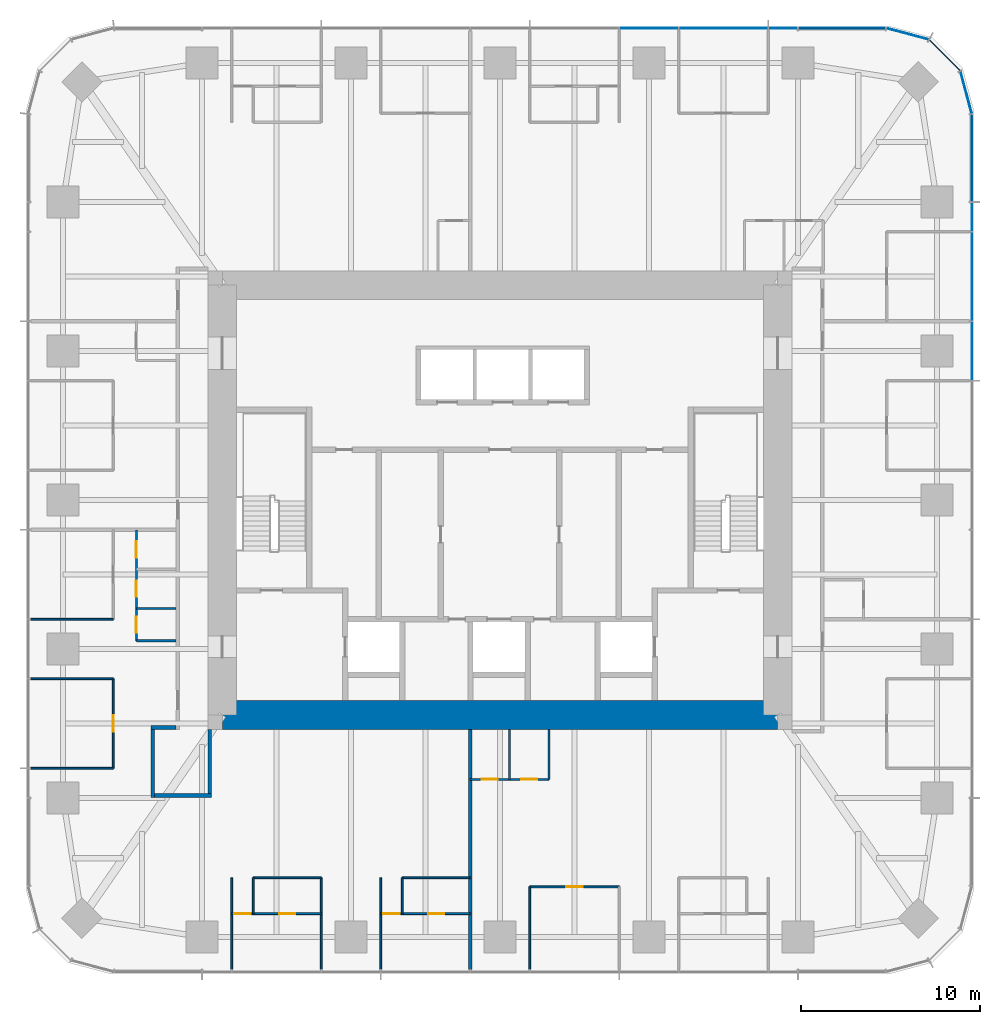
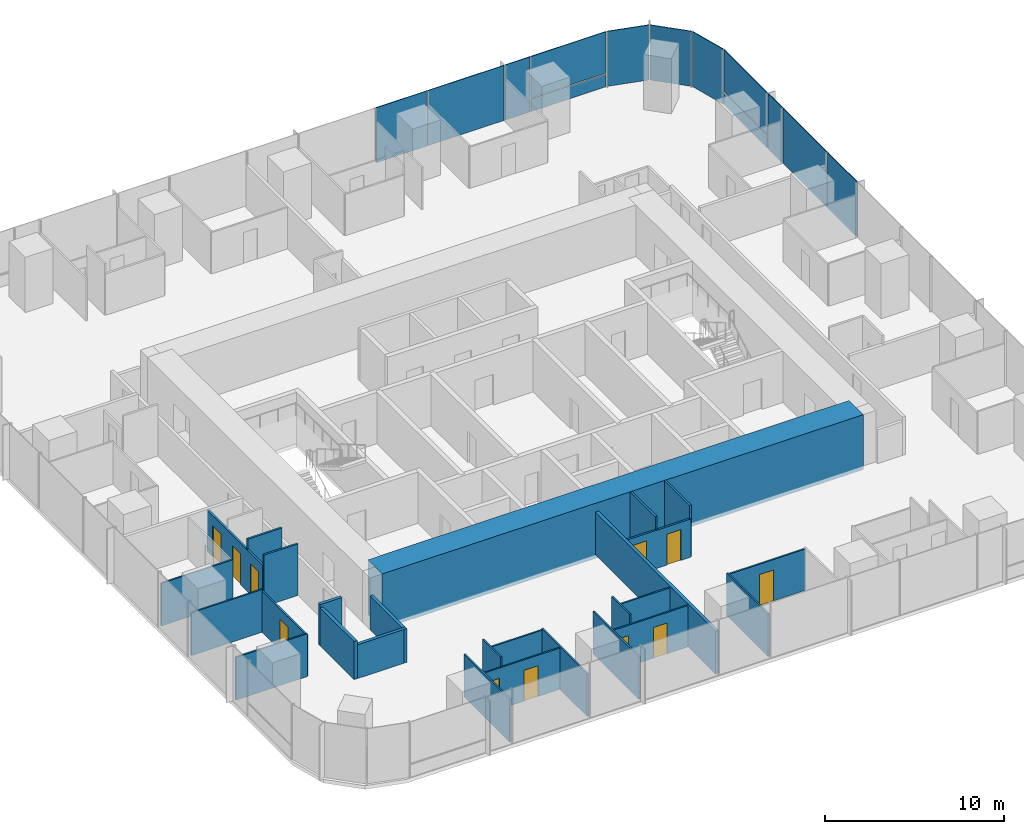
# One storey, part 8 of 12: 27 walls, 13 plates, 11 doors, 11 openings, 3 elements without a shape of their own.
"""IFC4 building model written with IfcOpenShell, lengths in metres."""

from ifc_helpers import new_model, si_unit, direction, frame, frame_2d, origin, origin_2d, place, context, subcontext, project, spatial, rectangle, extrude, material, layer, layer_set, type_object, element, fill, aggregate, save


model = new_model("IFC4")

# Units and contexts
model_context = context("Model", 3, precision=1e-05, world=origin(), true_north=direction((0.0, 1.0)))
body_context = subcontext(model_context, "Body", "Model", "MODEL_VIEW")
ifc_project = project(units=[si_unit("LENGTHUNIT", "METRE"), si_unit("AREAUNIT", "SQUARE_METRE"), si_unit("VOLUMEUNIT", "CUBIC_METRE"), si_unit("PLANEANGLEUNIT", "RADIAN"), si_unit("MASSUNIT", "GRAM", prefix="KILO")], contexts=[model_context])

# Site, building, storey
site_placement = place(None, origin())
site = spatial("IfcSite", under=ifc_project, at=site_placement, CompositionType="ELEMENT")
building_placement = place(site_placement, origin())
building = spatial("IfcBuilding", under=site, at=building_placement, Name="Khuree Lantern Residences", CompositionType="ELEMENT")
storey_placement = place(building_placement, frame((0.0, 0.0, 214.5)))
storey = spatial("IfcBuildingStorey", under=building, at=storey_placement, Name="L53", CompositionType="ELEMENT", Elevation=214.5)

# Curtain wall, plates
ifc_material_1 = material(Name="Bronze anodised aluminium", Category="aluminium")
curtain_wall_type_1 = type_object("IfcCurtainWallType", Name="CW-T2 TOWER CORNER CURTAIN WALL", PredefinedType="USERDEFINED", material=ifc_material_1)
curtain_wall_1_placement = place(storey_placement, origin())
curtain_wall_1 = element("IfcCurtainWall", 1, at=curtain_wall_1_placement, inside=storey, type_object=curtain_wall_type_1, Name="L53 NORTH-EAST CORNER CURTAIN WALL", ObjectType="Faceted corner curtain wall", PredefinedType="USERDEFINED")
ifc_material_2 = material(Name="Bronze tinted triple glazing", Category="glass")
ifc_layer_1 = layer(ifc_material_2, 0.048095703125)
ifc_layer_set_1 = layer_set([ifc_layer_1], Name="FACET PANEL P4")
plate_type_1 = type_object("IfcPlateType", Name="FACET PANEL P4", PredefinedType="CURTAIN_PANEL", material=ifc_layer_set_1)
plate_1_placement = place(storey_placement, frame((26.029052734375, 22.748046875, 0.0), z_axis=(0.0, 0.0, 1.0), x_axis=(-0.258819021888, 0.965925832509, 0.0)))
plate_1 = element("IfcPlate", 2, at=plate_1_placement, type_object=plate_type_1, Name="L53 NORTH-EAST CORNER PANEL 15.1", PredefinedType="CURTAIN_PANEL", context=body_context, shape_type="SweptSolid", body=[
    extrude(rectangle(XDim=2.40869140625, YDim=0.048095703125, at=origin_2d()), origin(), (0.0, 0.0, 1.0), 3.75),
])
plate_2_placement = place(storey_placement, frame((24.828369140625, 24.828369140625, 0.0), z_axis=(0.0, 0.0, 1.0), x_axis=(-0.707106781187, 0.707106781187, 0.0)))
plate_2 = element("IfcPlate", 3, at=plate_2_placement, type_object=plate_type_1, Name="L53 NORTH-EAST CORNER PANEL 16.1", PredefinedType="CURTAIN_PANEL", context=body_context, shape_type="SweptSolid", body=[
    extrude(rectangle(XDim=2.404541015625, YDim=0.048095703125, at=origin_2d()), origin(), (0.0, 0.0, 1.0), 3.75),
])
plate_3_placement = place(storey_placement, frame((22.748046875, 26.029052734375, 0.0), z_axis=(0.0, 0.0, 1.0), x_axis=(-0.965925832509, 0.258819021888, 0.0)))
plate_3 = element("IfcPlate", 4, at=plate_3_placement, type_object=plate_type_1, Name="L53 NORTH-EAST CORNER PANEL 17.1", PredefinedType="CURTAIN_PANEL", context=body_context, shape_type="SweptSolid", body=[
    extrude(rectangle(XDim=2.40869140625, YDim=0.048095703125, at=origin_2d()), origin(), (0.0, 0.0, 1.0), 3.75),
])
aggregate(curtain_wall_1, [plate_1, plate_2, plate_3])

# Curtain wall, plate
curtain_wall_type_2 = type_object("IfcCurtainWallType", Name="CW-T1 TOWER FACE CURTAIN WALL", PredefinedType="USERDEFINED", material=ifc_material_1)
curtain_wall_2_placement = place(storey_placement, origin())
curtain_wall_2 = element("IfcCurtainWall", 5, at=curtain_wall_2_placement, inside=storey, type_object=curtain_wall_type_2, Name="L53 EAST FACE CURTAIN WALL", ObjectType="Stick-built curtain wall", PredefinedType="USERDEFINED")
ifc_material_3 = material(Name="Bronze tinted triple glazing with a ceramic-fritted spandrel band", Category="glass")
ifc_layer_2 = layer(ifc_material_3, 0.048095703125)
ifc_layer_set_2 = layer_set([ifc_layer_2], Name="FIXED LIGHT PANEL P11")
plate_type_2 = type_object("IfcPlateType", Name="FIXED LIGHT PANEL P11", PredefinedType="CURTAIN_PANEL", material=ifc_layer_set_2)
plate_4_placement = place(storey_placement, frame((26.35009765625, 12.47998046875, 0.0), z_axis=(0.0, 0.0, 1.0), x_axis=(0.0, 1.0, 0.0)))
plate_4 = element("IfcPlate", 6, at=plate_4_placement, type_object=plate_type_2, Name="L53 EAST FACE PANEL 12.1", PredefinedType="CURTAIN_PANEL", context=body_context, shape_type="SweptSolid", body=[
    extrude(rectangle(XDim=4.927001953125, YDim=0.048095703125, at=origin_2d()), origin(), (0.0, 0.0, 1.0), 3.75),
])

curtain_wall_3_placement = place(storey_placement, origin())
curtain_wall_3 = element("IfcCurtainWall", 7, at=curtain_wall_3_placement, inside=storey, type_object=curtain_wall_type_2, Name="L53 NORTH FACE CURTAIN WALL", ObjectType="Stick-built curtain wall", PredefinedType="USERDEFINED")
plate_5_placement = place(storey_placement, frame((12.47998046875, 26.35009765625, 0.0), z_axis=(0.0, 0.0, 1.0), x_axis=(-1.0, 0.0, 0.0)))
plate_5 = element("IfcPlate", 8, at=plate_5_placement, type_object=plate_type_2, Name="L53 NORTH FACE PANEL 20.1", PredefinedType="CURTAIN_PANEL", context=body_context, shape_type="SweptSolid", body=[
    extrude(rectangle(XDim=4.927001953125, YDim=0.048095703125, at=origin_2d()), origin(), (0.0, 0.0, 1.0), 3.75),
])

# Plate
ifc_material_4 = material(Name="Bronze tinted triple glazing, two aluminium-framed sashes in one frame", Category="aluminium")
ifc_layer_3 = layer(ifc_material_4, 0.048095703125)
ifc_layer_set_3 = layer_set([ifc_layer_3], Name="SASH PAIR PANEL P12")
plate_type_3 = type_object("IfcPlateType", Name="SASH PAIR PANEL P12", PredefinedType="CURTAIN_PANEL", material=ifc_layer_set_3)
plate_6_placement = place(storey_placement, frame((26.35009765625, 8.320068359375, 0.0), z_axis=(0.0, 0.0, 1.0), x_axis=(0.0, 1.0, 0.0)))
plate_6 = element("IfcPlate", 9, at=plate_6_placement, type_object=plate_type_3, Name="L53 EAST FACE PANEL 11.1", PredefinedType="CURTAIN_PANEL", context=body_context, shape_type="SweptSolid", body=[
    extrude(rectangle(XDim=3.262939453125, YDim=0.048095703125, at=origin_2d()), origin(), (0.0, 0.0, 1.0), 3.75),
])

plate_7_placement = place(storey_placement, frame((8.320068359375, 26.35009765625, 0.0), z_axis=(0.0, 0.0, 1.0), x_axis=(-1.0, 0.0, 0.0)))
plate_7 = element("IfcPlate", 10, at=plate_7_placement, type_object=plate_type_3, Name="L53 NORTH FACE PANEL 21.1", PredefinedType="CURTAIN_PANEL", context=body_context, shape_type="SweptSolid", body=[
    extrude(rectangle(XDim=3.262939453125, YDim=0.048095703125, at=origin_2d()), origin(), (0.0, 0.0, 1.0), 3.75),
])

ifc_material_5 = material(Name="Bronze tinted triple glazing, aluminium-framed sash", Category="aluminium")
ifc_layer_4 = layer(ifc_material_5, 0.048095703125)
ifc_layer_set_4 = layer_set([ifc_layer_4], Name="SASH PANEL P3")
plate_type_4 = type_object("IfcPlateType", Name="SASH PANEL P3", PredefinedType="CURTAIN_PANEL", material=ifc_layer_set_4)
plate_8_placement = place(storey_placement, frame((26.35009765625, 15.80810546875, 0.0), z_axis=(0.0, 0.0, 1.0), x_axis=(0.0, 1.0, 0.0)))
plate_8 = element("IfcPlate", 11, at=plate_8_placement, type_object=plate_type_4, Name="L53 EAST FACE PANEL 13.1", PredefinedType="CURTAIN_PANEL", context=body_context, shape_type="SweptSolid", body=[
    extrude(rectangle(XDim=1.59912109375, YDim=0.048095703125, at=origin_2d()), origin(), (0.0, 0.0, 1.0), 3.75),
])

plate_9_placement = place(storey_placement, frame((15.80810546875, 26.35009765625, 0.0), z_axis=(0.0, 0.0, 1.0), x_axis=(-1.0, 0.0, 0.0)))
plate_9 = element("IfcPlate", 12, at=plate_9_placement, type_object=plate_type_4, Name="L53 NORTH FACE PANEL 19.1", PredefinedType="CURTAIN_PANEL", context=body_context, shape_type="SweptSolid", body=[
    extrude(rectangle(XDim=1.59912109375, YDim=0.048095703125, at=origin_2d()), origin(), (0.0, 0.0, 1.0), 3.75),
])

ifc_material_6 = material(Name="Bronze anodised aluminium insulated spandrel", Category="aluminium")
ifc_layer_5 = layer(ifc_material_6, 0.06005859375)
ifc_layer_set_5 = layer_set([ifc_layer_5], Name="SPANDREL PANEL P2")
plate_type_5 = type_object("IfcPlateType", Name="SPANDREL PANEL P2", PredefinedType="CURTAIN_PANEL", material=ifc_layer_set_5)
plate_10_placement = place(storey_placement, frame((26.35009765625, 19.0927734375, 0.0), z_axis=(0.0, 0.0, 1.0), x_axis=(0.0, 1.0, 0.0)))
plate_10 = element("IfcPlate", 13, at=plate_10_placement, type_object=plate_type_5, Name="L53 EAST FACE PANEL 14.1", PredefinedType="CURTAIN_PANEL", context=body_context, shape_type="SweptSolid", body=[
    extrude(rectangle(XDim=4.8408203125, YDim=0.06005859375, at=origin_2d()), origin(), (0.0, 0.0, 1.0), 0.867431640625),
])

plate_11_placement = place(storey_placement, frame((19.0927734375, 26.35009765625, 0.0), z_axis=(0.0, 0.0, 1.0), x_axis=(-1.0, 0.0, 0.0)))
plate_11 = element("IfcPlate", 14, at=plate_11_placement, type_object=plate_type_5, Name="L53 NORTH FACE PANEL 18.1", PredefinedType="CURTAIN_PANEL", context=body_context, shape_type="SweptSolid", body=[
    extrude(rectangle(XDim=4.8408203125, YDim=0.06005859375, at=origin_2d()), origin(), (0.0, 0.0, 1.0), 0.867431640625),
])

ifc_layer_6 = layer(ifc_material_2, 0.048095703125)
ifc_layer_set_6 = layer_set([ifc_layer_6], Name="VISION PANEL P1")
plate_type_6 = type_object("IfcPlateType", Name="VISION PANEL P1", PredefinedType="CURTAIN_PANEL", material=ifc_layer_set_6)
plate_12_placement = place(storey_placement, frame((26.35009765625, 19.09326171875, 0.9326171875), z_axis=(0.0, 0.0, 1.0), x_axis=(0.0, 1.0, 0.0)))
plate_12 = element("IfcPlate", 15, at=plate_12_placement, type_object=plate_type_6, Name="L53 EAST FACE PANEL 14.2", PredefinedType="CURTAIN_PANEL", context=body_context, shape_type="SweptSolid", body=[
    extrude(rectangle(XDim=4.841552734375, YDim=0.048095703125, at=origin_2d()), origin(), (0.0, 0.0, 1.0), 2.8173828125),
])

aggregate(curtain_wall_2, [plate_6, plate_4, plate_8, plate_10, plate_12])

plate_13_placement = place(storey_placement, frame((19.09326171875, 26.35009765625, 0.9326171875), z_axis=(0.0, 0.0, 1.0), x_axis=(-1.0, 0.0, 0.0)))
plate_13 = element("IfcPlate", 16, at=plate_13_placement, type_object=plate_type_6, Name="L53 NORTH FACE PANEL 18.2", PredefinedType="CURTAIN_PANEL", context=body_context, shape_type="SweptSolid", body=[
    extrude(rectangle(XDim=4.841552734375, YDim=0.048095703125, at=origin_2d()), origin(), (0.0, 0.0, 1.0), 2.8173828125),
])

aggregate(curtain_wall_3, [plate_11, plate_13, plate_9, plate_5, plate_7])

# Wall, openings, doors
ifc_material_7 = material(Name="Moisture-resistant gypsum board on steel studs", Category="steel")
ifc_layer_7 = layer(ifc_material_7, 0.125)
ifc_layer_set_7 = layer_set([ifc_layer_7], Name="BATHROOM WALL BTW125")
wall_type_1 = type_object("IfcWallType", Name="BATHROOM WALL BTW125", PredefinedType="PARTITIONING", material=ifc_layer_set_7)
wall_1_placement = place(storey_placement, frame((-20.300048828125, -1.6640625, 0.0), z_axis=(0.0, 0.0, 1.0), x_axis=(0.0, -1.0, 0.0)))
wall_1 = element("IfcWall", 17, at=wall_1_placement, inside=storey, type_object=wall_type_1, Name="L53 BATHROOM WALL 05", PredefinedType="PARTITIONING", context=body_context, shape_type="SweptSolid", body=[
    extrude(rectangle(XDim=6.199951171875, YDim=0.125, at=frame_2d((3.10009765625, 0.0))), origin(), (0.0, 0.0, 1.0), 2.81005859375),
])
opening_1_placement = place(wall_1_placement, frame((0.64990234375, 0.0, 0.0)))
opening_1 = element("IfcOpeningElement", 18, at=opening_1_placement, cuts=wall_1, Name="Opening 53-044", PredefinedType="OPENING", context=body_context, shape_type="SweptSolid", body=[
    extrude(rectangle(XDim=0.89990234375, YDim=2.10009765625, at=frame_2d((0.449951171875, 1.050048828125))), frame((0.0, 0.072509765625, 0.0), z_axis=(0.0, -1.0, 0.0), x_axis=(1.0, 0.0, 0.0)), (0.0, 0.0, 1.0), 0.14501953125),
])
opening_2_placement = place(wall_1_placement, frame((2.85009765625, 0.0, 0.0)))
opening_2 = element("IfcOpeningElement", 19, at=opening_2_placement, cuts=wall_1, Name="Opening 53-045", PredefinedType="OPENING", context=body_context, shape_type="SweptSolid", body=[
    extrude(rectangle(XDim=0.89990234375, YDim=2.10009765625, at=frame_2d((0.449951171875, 1.050048828125))), frame((0.0, 0.072509765625, 0.0), z_axis=(0.0, -1.0, 0.0), x_axis=(1.0, 0.0, 0.0)), (0.0, 0.0, 1.0), 0.14501953125),
])
opening_3_placement = place(wall_1_placement, frame((4.85009765625, 0.0, 0.0)))
opening_3 = element("IfcOpeningElement", 20, at=opening_3_placement, cuts=wall_1, Name="Opening 53-046", PredefinedType="OPENING", context=body_context, shape_type="SweptSolid", body=[
    extrude(rectangle(XDim=0.89990234375, YDim=2.10009765625, at=frame_2d((0.449951171875, 1.050048828125))), frame((0.0, 0.072509765625, 0.0), z_axis=(0.0, -1.0, 0.0), x_axis=(1.0, 0.0, 0.0)), (0.0, 0.0, 1.0), 0.14501953125),
])
ifc_material_8 = material(Name="Timber door leaf in hardwood frame", Category="wood")
door_type_1 = type_object("IfcDoorType", Name="BATHROOM DOOR 900X2100", OperationType="SINGLE_SWING_LEFT", PredefinedType="DOOR", material=ifc_material_8)
door_1_placement = place(opening_1_placement, origin())
door_1 = element("IfcDoor", 21, at=door_1_placement, inside=storey, type_object=door_type_1, Name="Bathroom door 53-044", OperationType="SINGLE_SWING_LEFT", OverallHeight=2.10009765625, OverallWidth=0.89990234375, PredefinedType="DOOR", context=body_context, shape_type="SweptSolid", body=[
    extrude(rectangle(XDim=0.89990234375, YDim=2.10009765625, at=frame_2d((0.449951171875, 1.050048828125))), frame((0.0, 0.02490234375, 0.0), z_axis=(0.0, -1.0, 0.0), x_axis=(1.0, 0.0, 0.0)), (0.0, 0.0, 1.0), 0.050048828125),
])
fill(opening_1, door_1)
door_2_placement = place(opening_2_placement, origin())
door_2 = element("IfcDoor", 22, at=door_2_placement, inside=storey, type_object=door_type_1, Name="Bathroom door 53-045", OperationType="SINGLE_SWING_LEFT", OverallHeight=2.10009765625, OverallWidth=0.89990234375, PredefinedType="DOOR", context=body_context, shape_type="SweptSolid", body=[
    extrude(rectangle(XDim=0.89990234375, YDim=2.10009765625, at=frame_2d((0.449951171875, 1.050048828125))), frame((0.0, 0.02490234375, 0.0), z_axis=(0.0, -1.0, 0.0), x_axis=(1.0, 0.0, 0.0)), (0.0, 0.0, 1.0), 0.050048828125),
])
fill(opening_2, door_2)
door_type_2 = type_object("IfcDoorType", Name="DOOR 900X2100", OperationType="SINGLE_SWING_LEFT", PredefinedType="DOOR", material=ifc_material_8)
door_3_placement = place(opening_3_placement, origin())
door_3 = element("IfcDoor", 23, at=door_3_placement, inside=storey, type_object=door_type_2, Name="Store door 53-046", OperationType="SINGLE_SWING_LEFT", OverallHeight=2.10009765625, OverallWidth=0.89990234375, PredefinedType="DOOR", context=body_context, shape_type="SweptSolid", body=[
    extrude(rectangle(XDim=0.89990234375, YDim=2.10009765625, at=frame_2d((0.449951171875, 1.050048828125))), frame((0.0, 0.02490234375, 0.0), z_axis=(0.0, -1.0, 0.0), x_axis=(1.0, 0.0, 0.0)), (0.0, 0.0, 1.0), 0.050048828125),
])
fill(opening_3, door_3)

# Walls
for number, where, z_axis, x_axis, name in (
    (24, (-18.10009765625, -6.06396484375, 0.0), (0.0, 0.0, 1.0), (-1.0, 0.0, 0.0), "L53 BATHROOM WALL 05"),
    (25, (-18.10009765625, -7.864013671875, 0.0), (0.0, 0.0, 1.0), (-1.0, 0.0, 0.0), "L53 BATHROOM WALL 05"),
):
    element("IfcWall", number, at=place(storey_placement, frame(where, z_axis=z_axis, x_axis=x_axis)), inside=storey, type_object=wall_type_1, Name=name, PredefinedType="PARTITIONING", context=body_context, shape_type="SweptSolid", body=[
        extrude(rectangle(XDim=2.199951171875, YDim=0.125, at=frame_2d((1.10009765625, 0.0))), origin(), (0.0, 0.0, 1.0), 3.5),
    ])

# Wall, openings, doors
wall_2_placement = place(storey_placement, frame((-1.6640625, -15.60009765625, 0.0), z_axis=(0.0, 0.0, 1.0), x_axis=(1.0, 0.0, 0.0)))
wall_2 = element("IfcWall", 26, at=wall_2_placement, inside=storey, type_object=wall_type_1, Name="L53 BATHROOM WALL 06", PredefinedType="PARTITIONING", context=body_context, shape_type="SweptSolid", body=[
    extrude(rectangle(XDim=4.400146484375, YDim=0.125, at=frame_2d((2.2001953125, 0.0))), origin(), (0.0, 0.0, 1.0), 2.60009765625),
])
opening_4_placement = place(wall_2_placement, frame((0.64990234375, 0.0, 0.0)))
opening_4 = element("IfcOpeningElement", 27, at=opening_4_placement, cuts=wall_2, Name="Opening 53-052", PredefinedType="OPENING", context=body_context, shape_type="SweptSolid", body=[
    extrude(rectangle(XDim=0.89990234375, YDim=2.10009765625, at=frame_2d((0.449951171875, 1.050048828125))), frame((0.0, 0.072509765625, 0.0), z_axis=(0.0, -1.0, 0.0), x_axis=(1.0, 0.0, 0.0)), (0.0, 0.0, 1.0), 0.14501953125),
])
opening_5_placement = place(wall_2_placement, frame((2.85009765625, 0.0, 0.0)))
opening_5 = element("IfcOpeningElement", 28, at=opening_5_placement, cuts=wall_2, Name="Opening 53-053", PredefinedType="OPENING", context=body_context, shape_type="SweptSolid", body=[
    extrude(rectangle(XDim=0.89990234375, YDim=2.10009765625, at=frame_2d((0.449951171875, 1.050048828125))), frame((0.0, 0.072509765625, 0.0), z_axis=(0.0, -1.0, 0.0), x_axis=(1.0, 0.0, 0.0)), (0.0, 0.0, 1.0), 0.14501953125),
])
door_4_placement = place(opening_4_placement, origin())
door_4 = element("IfcDoor", 29, at=door_4_placement, inside=storey, type_object=door_type_1, Name="Bathroom door 53-052", OperationType="SINGLE_SWING_LEFT", OverallHeight=2.10009765625, OverallWidth=0.89990234375, PredefinedType="DOOR", context=body_context, shape_type="SweptSolid", body=[
    extrude(rectangle(XDim=0.89990234375, YDim=2.10009765625, at=frame_2d((0.449951171875, 1.050048828125))), frame((0.0, 0.02490234375, 0.0), z_axis=(0.0, -1.0, 0.0), x_axis=(1.0, 0.0, 0.0)), (0.0, 0.0, 1.0), 0.050048828125),
])
fill(opening_4, door_4)
door_5_placement = place(opening_5_placement, origin())
door_5 = element("IfcDoor", 30, at=door_5_placement, inside=storey, type_object=door_type_1, Name="Bathroom door 53-053", OperationType="SINGLE_SWING_LEFT", OverallHeight=2.10009765625, OverallWidth=0.89990234375, PredefinedType="DOOR", context=body_context, shape_type="SweptSolid", body=[
    extrude(rectangle(XDim=0.89990234375, YDim=2.10009765625, at=frame_2d((0.449951171875, 1.050048828125))), frame((0.0, 0.02490234375, 0.0), z_axis=(0.0, -1.0, 0.0), x_axis=(1.0, 0.0, 0.0)), (0.0, 0.0, 1.0), 0.050048828125),
])
fill(opening_5, door_5)

# Walls
for number, where, z_axis, x_axis, name in (
    (31, (0.535888671875, -12.800048828125, 0.0), (0.0, 0.0, 1.0), (0.0, -1.0, 0.0), "L53 BATHROOM WALL 06"),
    (32, (2.736083984375, -12.800048828125, 0.0), (0.0, 0.0, 1.0), (0.0, -1.0, 0.0), "L53 BATHROOM WALL 06"),
):
    element("IfcWall", number, at=place(storey_placement, frame(where, z_axis=z_axis, x_axis=x_axis)), inside=storey, type_object=wall_type_1, Name=name, PredefinedType="PARTITIONING", context=body_context, shape_type="SweptSolid", body=[
        extrude(rectangle(XDim=2.800048828125, YDim=0.125, at=frame_2d((1.39990234375, 0.0))), origin(), (0.0, 0.0, 1.0), 3.5),
    ])
ifc_material_9 = material(Name="Gypsum board on steel studs", Category="steel")
ifc_layer_8 = layer(ifc_material_9, 0.199951171875)
ifc_layer_set_8 = layer_set([ifc_layer_8], Name="CORRIDOR WALL CRW200 EI 60")
wall_type_2 = type_object("IfcWallType", Name="CORRIDOR WALL CRW200 EI 60", PredefinedType="PARTITIONING", material=ifc_layer_set_8)
wall_3_placement = place(storey_placement, frame((-18.10009765625, -12.699951171875, 0.0), z_axis=(0.0, 0.0, 1.0), x_axis=(-1.0, 0.0, 0.0)))
element("IfcWall", 33, at=wall_3_placement, inside=storey, type_object=wall_type_2, Name="L53 RESIDENTS LOUNGE WALL", PredefinedType="PARTITIONING", context=body_context, shape_type="SweptSolid", body=[
    extrude(rectangle(XDim=1.39990234375, YDim=0.199951171875, at=frame_2d((0.699951171875, 0.0))), origin(), (0.0, 0.0, 1.0), 2.81005859375),
])
wall_4_placement = place(storey_placement, frame((-19.39990234375, -12.60009765625, 0.0), z_axis=(0.0, 0.0, 1.0), x_axis=(0.0, -1.0, 0.0)))
element("IfcWall", 34, at=wall_4_placement, inside=storey, type_object=wall_type_2, Name="L53 RESIDENTS LOUNGE WALL", PredefinedType="PARTITIONING", context=body_context, shape_type="SweptSolid", body=[
    extrude(rectangle(XDim=4.0, YDim=0.199951171875, at=frame_2d((2.0, 0.0))), origin(), (0.0, 0.0, 1.0), 2.60009765625),
])
wall_5_placement = place(storey_placement, frame((-19.300048828125, -16.5, 0.0), z_axis=(0.0, 0.0, 1.0), x_axis=(1.0, 0.0, 0.0)))
element("IfcWall", 35, at=wall_5_placement, inside=storey, type_object=wall_type_2, Name="L53 RESIDENTS LOUNGE WALL", PredefinedType="PARTITIONING", context=body_context, shape_type="SweptSolid", body=[
    extrude(rectangle(XDim=3.199951171875, YDim=0.199951171875, at=frame_2d((1.60009765625, 0.0))), origin(), (0.0, 0.0, 1.0), 2.300048828125),
])
wall_6_placement = place(storey_placement, frame((-16.199951171875, -16.60009765625, 0.0), z_axis=(0.0, 0.0, 1.0), x_axis=(0.0, 1.0, 0.0)))
element("IfcWall", 36, at=wall_6_placement, inside=storey, type_object=wall_type_2, Name="L53 RESIDENTS LOUNGE WALL", PredefinedType="PARTITIONING", context=body_context, shape_type="SweptSolid", body=[
    extrude(rectangle(XDim=3.800048828125, YDim=0.199951171875, at=frame_2d((1.89990234375, 0.0))), origin(), (0.0, 0.0, 1.0), 2.300048828125),
])
ifc_material_10 = material(Name="Concrete C50/60", Category="concrete")
ifc_layer_9 = layer(ifc_material_10, 1.60009765625)
ifc_layer_set_9 = layer_set([ifc_layer_9], Name="CW1600-C50 CORE WALL C50 1600")
wall_type_3 = type_object("IfcWallType", Name="CW1600-C50 CORE WALL C50 1600", PredefinedType="SHEAR", material=ifc_layer_set_9)
wall_7_placement = place(storey_placement, frame((-15.5, -12.0, -0.25), z_axis=(0.0, 0.0, 1.0), x_axis=(1.0, 0.0, 0.0)))
element("IfcWall", 37, at=wall_7_placement, inside=storey, type_object=wall_type_3, Name="Core wall S", PredefinedType="SHEAR", context=body_context, shape_type="SweptSolid", body=[
    extrude(rectangle(XDim=31.0, YDim=1.60009765625, at=frame_2d((15.5, 0.0))), origin(), (0.0, 0.0, 1.0), 3.75),
])
ifc_layer_10 = layer(ifc_material_9, 0.199951171875)
ifc_layer_set_10 = layer_set([ifc_layer_10], Name="DEMISING WALL DMW200 EI 90")
wall_type_4 = type_object("IfcWallType", Name="DEMISING WALL DMW200 EI 90", PredefinedType="PARTITIONING", material=ifc_layer_set_10)
wall_8_placement = place(storey_placement, frame((-1.6640625, -12.800048828125, 0.0), z_axis=(0.0, 0.0, 1.0), x_axis=(0.0, -1.0, 0.0)))
element("IfcWall", 38, at=wall_8_placement, inside=storey, type_object=wall_type_4, Name="L53 DEMISING WALL 06", PredefinedType="PARTITIONING", context=body_context, shape_type="SweptSolid", body=[
    extrude(rectangle(XDim=13.39990234375, YDim=0.199951171875, at=frame_2d((6.699951171875, 0.0))), origin(), (0.0, 0.0, 1.0), 2.909912109375),
])
ifc_layer_11 = layer(ifc_material_9, 0.10009765625)
ifc_layer_set_11 = layer_set([ifc_layer_11], Name="PARTITION PT100")
wall_type_5 = type_object("IfcWallType", Name="PARTITION PT100", PredefinedType="PARTITIONING", material=ifc_layer_set_11)
for number, where, z_axis, x_axis, name in (
    (39, (-21.60009765625, -6.656005859375, 0.0), (0.0, 0.0, 1.0), (-1.0, 0.0, 0.0), "L53 PARTITION 05"),
    (40, (-21.60009765625, -9.98388671875, 0.0), (0.0, 0.0, 1.0), (-1.0, 0.0, 0.0), "L53 PARTITION 05"),
    (41, (-21.60009765625, -14.97607421875, 0.0), (0.0, 0.0, 1.0), (-1.0, 0.0, 0.0), "L53 PARTITION 05"),
):
    element("IfcWall", number, at=place(storey_placement, frame(where, z_axis=z_axis, x_axis=x_axis)), inside=storey, type_object=wall_type_5, Name=name, PredefinedType="PARTITIONING", context=body_context, shape_type="SweptSolid", body=[
        extrude(rectangle(XDim=4.599853515625, YDim=0.10009765625, at=frame_2d((2.2998046875, 0.0))), origin(), (0.0, 0.0, 1.0), 2.909912109375),
    ])
for number, where, z_axis, x_axis, name in (
    (42, (-14.97607421875, -21.094970703125, 0.0), (0.0, 0.0, 1.0), (0.0, -1.0, 0.0), "L53 PARTITION 05"),
    (43, (-9.98388671875, -21.094970703125, 0.0), (0.0, 0.0, 1.0), (0.0, -1.0, 0.0), "L53 PARTITION 05"),
    (44, (-6.656005859375, -21.094970703125, 0.0), (0.0, 0.0, 1.0), (0.0, -1.0, 0.0), "L53 PARTITION 05"),
):
    element("IfcWall", number, at=place(storey_placement, frame(where, z_axis=z_axis, x_axis=x_axis)), inside=storey, type_object=wall_type_5, Name=name, PredefinedType="PARTITIONING", context=body_context, shape_type="SweptSolid", body=[
        extrude(rectangle(XDim=5.10498046875, YDim=0.10009765625, at=frame_2d((2.552490234375, 0.0))), origin(), (0.0, 0.0, 1.0), 2.909912109375),
    ])
wall_9_placement = place(storey_placement, frame((1.6640625, -21.60009765625, 0.0), z_axis=(0.0, 0.0, 1.0), x_axis=(0.0, -1.0, 0.0)))
element("IfcWall", 45, at=wall_9_placement, inside=storey, type_object=wall_type_5, Name="L53 PARTITION 06", PredefinedType="PARTITIONING", context=body_context, shape_type="SweptSolid", body=[
    extrude(rectangle(XDim=4.599853515625, YDim=0.10009765625, at=frame_2d((2.2998046875, 0.0))), origin(), (0.0, 0.0, 1.0), 2.909912109375),
])

# Wall, opening, door
wall_10_placement = place(storey_placement, frame((-21.60009765625, -9.98388671875, 0.0), z_axis=(0.0, 0.0, 1.0), x_axis=(0.0, -1.0, 0.0)))
wall_10 = element("IfcWall", 46, at=wall_10_placement, inside=storey, type_object=wall_type_5, Name="L53 PARTITION 05", PredefinedType="PARTITIONING", context=body_context, shape_type="SweptSolid", body=[
    extrude(rectangle(XDim=4.9921875, YDim=0.10009765625, at=frame_2d((2.49609375, 0.0))), origin(), (0.0, 0.0, 1.0), 2.81005859375),
])
opening_6_placement = place(wall_10_placement, frame((2.0458984375, 0.0, 0.0)))
opening_6 = element("IfcOpeningElement", 47, at=opening_6_placement, cuts=wall_10, Name="Opening 53-039", PredefinedType="OPENING", context=body_context, shape_type="SweptSolid", body=[
    extrude(rectangle(XDim=0.89990234375, YDim=2.10009765625, at=frame_2d((0.449951171875, 1.050048828125))), frame((0.0, 0.06005859375, 0.0), z_axis=(0.0, -1.0, 0.0), x_axis=(1.0, 0.0, 0.0)), (0.0, 0.0, 1.0), 0.1201171875),
])
door_type_3 = type_object("IfcDoorType", Name="BEDROOM DOOR 900X2100", OperationType="SINGLE_SWING_LEFT", PredefinedType="DOOR", material=ifc_material_8)
door_6_placement = place(opening_6_placement, origin())
door_6 = element("IfcDoor", 48, at=door_6_placement, inside=storey, type_object=door_type_3, Name="Bedroom door 53-039", OperationType="SINGLE_SWING_LEFT", OverallHeight=2.10009765625, OverallWidth=0.89990234375, PredefinedType="DOOR", context=body_context, shape_type="SweptSolid", body=[
    extrude(rectangle(XDim=0.89990234375, YDim=2.10009765625, at=frame_2d((0.449951171875, 1.050048828125))), frame((0.0, 0.02490234375, 0.0), z_axis=(0.0, -1.0, 0.0), x_axis=(1.0, 0.0, 0.0)), (0.0, 0.0, 1.0), 0.050048828125),
])
fill(opening_6, door_6)

# Wall, openings, doors
wall_11_placement = place(storey_placement, frame((-14.97607421875, -23.094970703125, 0.0), z_axis=(0.0, 0.0, 1.0), x_axis=(1.0, 0.0, 0.0)))
wall_11 = element("IfcWall", 49, at=wall_11_placement, inside=storey, type_object=wall_type_5, Name="L53 PARTITION 05", PredefinedType="PARTITIONING", context=body_context, shape_type="SweptSolid", body=[
    extrude(rectangle(XDim=4.9921875, YDim=0.10009765625, at=frame_2d((2.49609375, 0.0))), origin(), (0.0, 0.0, 1.0), 2.81005859375),
])
opening_7_placement = place(wall_11_placement, frame((0.14990234375, 0.0, 0.0)))
opening_7 = element("IfcOpeningElement", 50, at=opening_7_placement, cuts=wall_11, Name="Opening 53-040", PredefinedType="OPENING", context=body_context, shape_type="SweptSolid", body=[
    extrude(rectangle(XDim=0.89990234375, YDim=2.10009765625, at=frame_2d((0.449951171875, 1.050048828125))), frame((0.0, 0.06005859375, 0.0), z_axis=(0.0, -1.0, 0.0), x_axis=(1.0, 0.0, 0.0)), (0.0, 0.0, 1.0), 0.1201171875),
])
opening_8_placement = place(wall_11_placement, frame((2.64599609375, 0.0, 0.0)))
opening_8 = element("IfcOpeningElement", 51, at=opening_8_placement, cuts=wall_11, Name="Opening 53-041", PredefinedType="OPENING", context=body_context, shape_type="SweptSolid", body=[
    extrude(rectangle(XDim=0.89990234375, YDim=2.10009765625, at=frame_2d((0.449951171875, 1.050048828125))), frame((0.0, 0.06005859375, 0.0), z_axis=(0.0, -1.0, 0.0), x_axis=(1.0, 0.0, 0.0)), (0.0, 0.0, 1.0), 0.1201171875),
])
door_7_placement = place(opening_7_placement, origin())
door_7 = element("IfcDoor", 52, at=door_7_placement, inside=storey, type_object=door_type_3, Name="Bedroom door 53-040", OperationType="SINGLE_SWING_LEFT", OverallHeight=2.10009765625, OverallWidth=0.89990234375, PredefinedType="DOOR", context=body_context, shape_type="SweptSolid", body=[
    extrude(rectangle(XDim=0.89990234375, YDim=2.10009765625, at=frame_2d((0.449951171875, 1.050048828125))), frame((0.0, 0.02490234375, 0.0), z_axis=(0.0, -1.0, 0.0), x_axis=(1.0, 0.0, 0.0)), (0.0, 0.0, 1.0), 0.050048828125),
])
fill(opening_7, door_7)
door_8_placement = place(opening_8_placement, origin())
door_8 = element("IfcDoor", 53, at=door_8_placement, inside=storey, type_object=door_type_2, Name="Wardrobe door 53-041", OperationType="SINGLE_SWING_LEFT", OverallHeight=2.10009765625, OverallWidth=0.89990234375, PredefinedType="DOOR", context=body_context, shape_type="SweptSolid", body=[
    extrude(rectangle(XDim=0.89990234375, YDim=2.10009765625, at=frame_2d((0.449951171875, 1.050048828125))), frame((0.0, 0.02490234375, 0.0), z_axis=(0.0, -1.0, 0.0), x_axis=(1.0, 0.0, 0.0)), (0.0, 0.0, 1.0), 0.050048828125),
])
fill(opening_8, door_8)

# Walls
wall_12_placement = place(storey_placement, frame((-13.77587890625, -21.094970703125, 0.0), z_axis=(0.0, 0.0, 1.0), x_axis=(0.0, -1.0, 0.0)))
element("IfcWall", 54, at=wall_12_placement, inside=storey, type_object=wall_type_5, Name="L53 PARTITION 05", PredefinedType="PARTITIONING", context=body_context, shape_type="SweptSolid", body=[
    extrude(rectangle(XDim=2.0, YDim=0.10009765625, at=frame_2d((1.0, 0.0))), origin(), (0.0, 0.0, 1.0), 3.5),
])
wall_13_placement = place(storey_placement, frame((-13.77587890625, -21.094970703125, 0.0), z_axis=(0.0, 0.0, 1.0), x_axis=(1.0, 0.0, 0.0)))
element("IfcWall", 55, at=wall_13_placement, inside=storey, type_object=wall_type_5, Name="L53 PARTITION 05", PredefinedType="PARTITIONING", context=body_context, shape_type="SweptSolid", body=[
    extrude(rectangle(XDim=3.7919921875, YDim=0.10009765625, at=frame_2d((1.89599609375, 0.0))), origin(), (0.0, 0.0, 1.0), 2.81005859375),
])

# Wall, openings, doors
wall_14_placement = place(storey_placement, frame((-6.656005859375, -23.094970703125, 0.0), z_axis=(0.0, 0.0, 1.0), x_axis=(1.0, 0.0, 0.0)))
wall_14 = element("IfcWall", 56, at=wall_14_placement, inside=storey, type_object=wall_type_5, Name="L53 PARTITION 05", PredefinedType="PARTITIONING", context=body_context, shape_type="SweptSolid", body=[
    extrude(rectangle(XDim=4.991943359375, YDim=0.10009765625, at=frame_2d((2.49609375, 0.0))), origin(), (0.0, 0.0, 1.0), 2.81005859375),
])
opening_9_placement = place(wall_14_placement, frame((0.14990234375, 0.0, 0.0)))
opening_9 = element("IfcOpeningElement", 57, at=opening_9_placement, cuts=wall_14, Name="Opening 53-042", PredefinedType="OPENING", context=body_context, shape_type="SweptSolid", body=[
    extrude(rectangle(XDim=0.89990234375, YDim=2.10009765625, at=frame_2d((0.449951171875, 1.050048828125))), frame((0.0, 0.06005859375, 0.0), z_axis=(0.0, -1.0, 0.0), x_axis=(1.0, 0.0, 0.0)), (0.0, 0.0, 1.0), 0.1201171875),
])
opening_10_placement = place(wall_14_placement, frame((2.64599609375, 0.0, 0.0)))
opening_10 = element("IfcOpeningElement", 58, at=opening_10_placement, cuts=wall_14, Name="Opening 53-043", PredefinedType="OPENING", context=body_context, shape_type="SweptSolid", body=[
    extrude(rectangle(XDim=0.89990234375, YDim=2.10009765625, at=frame_2d((0.449951171875, 1.050048828125))), frame((0.0, 0.06005859375, 0.0), z_axis=(0.0, -1.0, 0.0), x_axis=(1.0, 0.0, 0.0)), (0.0, 0.0, 1.0), 0.1201171875),
])
door_9_placement = place(opening_9_placement, origin())
door_9 = element("IfcDoor", 59, at=door_9_placement, inside=storey, type_object=door_type_3, Name="Bedroom door 53-042", OperationType="SINGLE_SWING_LEFT", OverallHeight=2.10009765625, OverallWidth=0.89990234375, PredefinedType="DOOR", context=body_context, shape_type="SweptSolid", body=[
    extrude(rectangle(XDim=0.89990234375, YDim=2.10009765625, at=frame_2d((0.449951171875, 1.050048828125))), frame((0.0, 0.02490234375, 0.0), z_axis=(0.0, -1.0, 0.0), x_axis=(1.0, 0.0, 0.0)), (0.0, 0.0, 1.0), 0.050048828125),
])
fill(opening_9, door_9)
door_type_4 = type_object("IfcDoorType", Name="DOOR 900X2100 RIGHT HAND", OperationType="SINGLE_SWING_RIGHT", PredefinedType="DOOR", material=ifc_material_8)
door_10_placement = place(opening_10_placement, origin())
door_10 = element("IfcDoor", 60, at=door_10_placement, inside=storey, type_object=door_type_4, Name="Wardrobe door 53-043", OperationType="SINGLE_SWING_RIGHT", OverallHeight=2.10009765625, OverallWidth=0.89990234375, PredefinedType="DOOR", context=body_context, shape_type="SweptSolid", body=[
    extrude(rectangle(XDim=0.89990234375, YDim=2.10009765625, at=frame_2d((0.449951171875, 1.050048828125))), frame((0.0, 0.02490234375, 0.0), z_axis=(0.0, -1.0, 0.0), x_axis=(1.0, 0.0, 0.0)), (0.0, 0.0, 1.0), 0.050048828125),
])
fill(opening_10, door_10)

# Walls
wall_15_placement = place(storey_placement, frame((-5.4560546875, -21.094970703125, 0.0), z_axis=(0.0, 0.0, 1.0), x_axis=(0.0, -1.0, 0.0)))
element("IfcWall", 61, at=wall_15_placement, inside=storey, type_object=wall_type_5, Name="L53 PARTITION 05", PredefinedType="PARTITIONING", context=body_context, shape_type="SweptSolid", body=[
    extrude(rectangle(XDim=2.0, YDim=0.10009765625, at=frame_2d((1.0, 0.0))), origin(), (0.0, 0.0, 1.0), 3.5),
])
wall_16_placement = place(storey_placement, frame((-5.4560546875, -21.094970703125, 0.0), z_axis=(0.0, 0.0, 1.0), x_axis=(1.0, 0.0, 0.0)))
element("IfcWall", 62, at=wall_16_placement, inside=storey, type_object=wall_type_5, Name="L53 PARTITION 05", PredefinedType="PARTITIONING", context=body_context, shape_type="SweptSolid", body=[
    extrude(rectangle(XDim=3.7919921875, YDim=0.10009765625, at=frame_2d((1.89599609375, 0.0))), origin(), (0.0, 0.0, 1.0), 2.81005859375),
])

# Wall, opening, door
wall_17_placement = place(storey_placement, frame((1.6640625, -21.60009765625, 0.0), z_axis=(0.0, 0.0, 1.0), x_axis=(1.0, 0.0, 0.0)))
wall_17 = element("IfcWall", 63, at=wall_17_placement, inside=storey, type_object=wall_type_5, Name="L53 PARTITION 06", PredefinedType="PARTITIONING", context=body_context, shape_type="SweptSolid", body=[
    extrude(rectangle(XDim=4.991943359375, YDim=0.10009765625, at=frame_2d((2.49609375, 0.0))), origin(), (0.0, 0.0, 1.0), 2.81005859375),
])
opening_11_placement = place(wall_17_placement, frame((2.0458984375, 0.0, 0.0)))
opening_11 = element("IfcOpeningElement", 64, at=opening_11_placement, cuts=wall_17, Name="Opening 53-048", PredefinedType="OPENING", context=body_context, shape_type="SweptSolid", body=[
    extrude(rectangle(XDim=0.89990234375, YDim=2.10009765625, at=frame_2d((0.449951171875, 1.050048828125))), frame((0.0, 0.06005859375, 0.0), z_axis=(0.0, -1.0, 0.0), x_axis=(1.0, 0.0, 0.0)), (0.0, 0.0, 1.0), 0.1201171875),
])
door_11_placement = place(opening_11_placement, origin())
door_11 = element("IfcDoor", 65, at=door_11_placement, inside=storey, type_object=door_type_3, Name="Bedroom door 53-048", OperationType="SINGLE_SWING_LEFT", OverallHeight=2.10009765625, OverallWidth=0.89990234375, PredefinedType="DOOR", context=body_context, shape_type="SweptSolid", body=[
    extrude(rectangle(XDim=0.89990234375, YDim=2.10009765625, at=frame_2d((0.449951171875, 1.050048828125))), frame((0.0, 0.02490234375, 0.0), z_axis=(0.0, -1.0, 0.0), x_axis=(1.0, 0.0, 0.0)), (0.0, 0.0, 1.0), 0.050048828125),
])
fill(opening_11, door_11)

save(model, "model.ifc")
